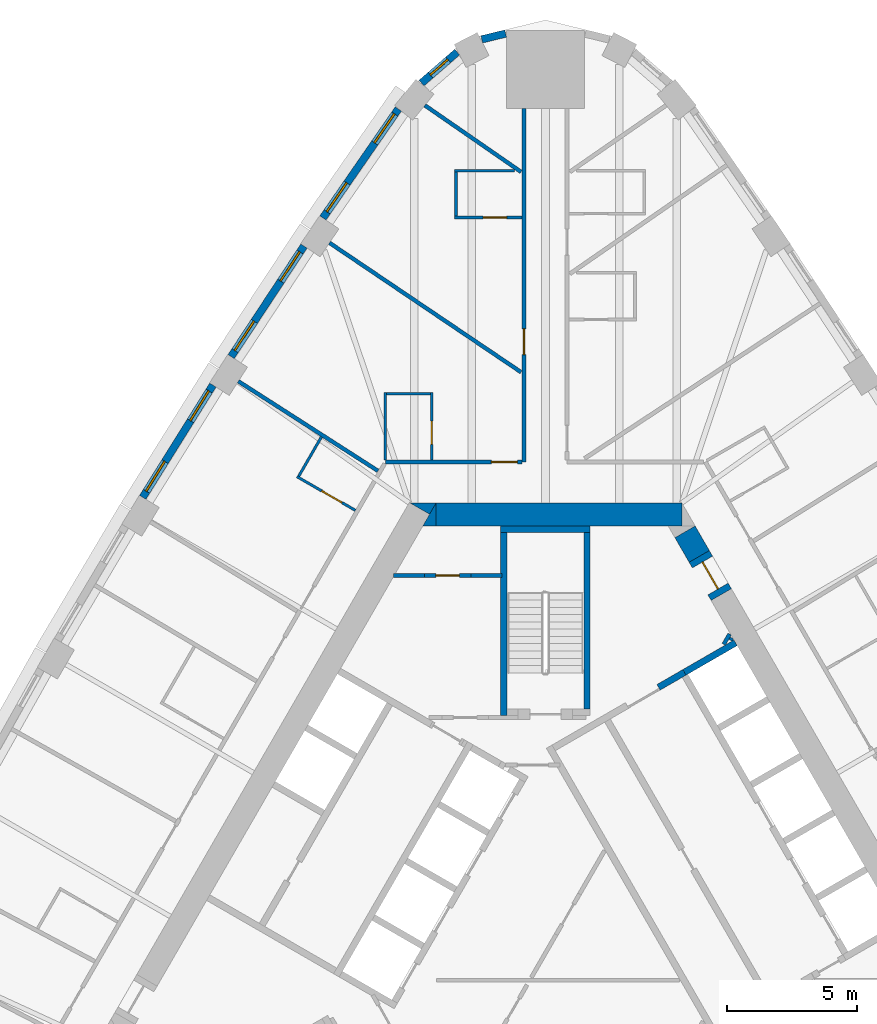
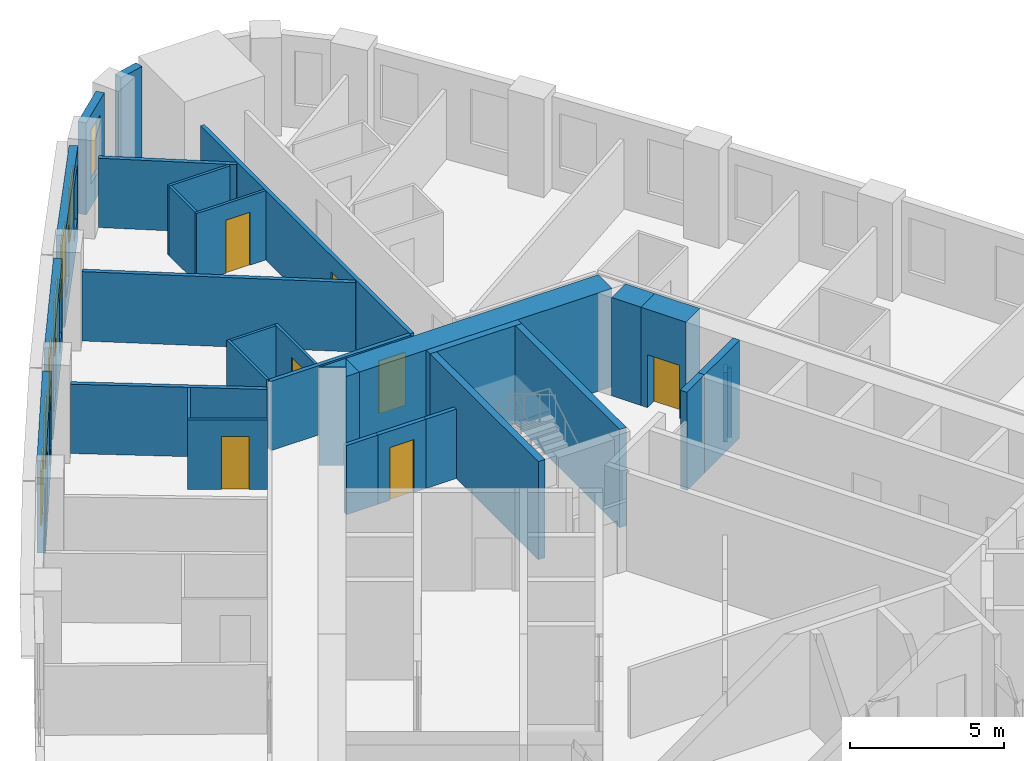
# One storey, part 10 of 13: 33 walls, 7 doors, 7 windows, 14 openings.
"""IFC4 building model written with IfcOpenShell, lengths in metres."""

from ifc_helpers import new_model, si_unit, direction, frame, frame_2d, origin, place, context, subcontext, project, spatial, polyline, rectangle, outline, extrude, material, layer, layer_set, type_object, element, fill, save


model = new_model("IFC4")

# Units and contexts
model_context = context("Model", 3, precision=1e-05, world=origin(), true_north=direction((0.0, 1.0)))
body_context = subcontext(model_context, "Body", "Model", "MODEL_VIEW")
ifc_project = project(units=[si_unit("LENGTHUNIT", "METRE"), si_unit("AREAUNIT", "SQUARE_METRE"), si_unit("VOLUMEUNIT", "CUBIC_METRE"), si_unit("PLANEANGLEUNIT", "RADIAN"), si_unit("MASSUNIT", "GRAM", prefix="KILO")], contexts=[model_context])

# Site, building, storey
site_placement = place(None, origin())
site = spatial("IfcSite", under=ifc_project, at=site_placement, CompositionType="ELEMENT")
building_placement = place(site_placement, origin())
building = spatial("IfcBuilding", under=site, at=building_placement, Name="Mestral Congress Tower", CompositionType="ELEMENT")
storey_placement = place(building_placement, frame((0.0, 0.0, 99.300048828125)))
storey = spatial("IfcBuildingStorey", under=building, at=storey_placement, Name="L23", CompositionType="ELEMENT", Elevation=99.300048828125)

# Walls
ifc_material_1 = material(Name="Fire-rated board partition")
ifc_layer_1 = layer(ifc_material_1, 0.14990234375)
ifc_layer_set_1 = layer_set([ifc_layer_1], Name="Fire-rated board partition")
wall_type_1 = type_object("IfcWallType", Name="Core partition 150", PredefinedType="PARTITIONING", material=ifc_layer_set_1)
wall_1_placement = place(storey_placement, frame((-5.85107421875, 14.10205078125, 0.0), z_axis=(0.0, 0.0, 1.0), x_axis=(1.0, 0.0, 0.0)))
element("IfcWall", 1, at=wall_1_placement, inside=storey, type_object=wall_type_1, Name="L23 core wall", PredefinedType="PARTITIONING", context=body_context, shape_type="SweptSolid", body=[
    extrude(rectangle(XDim=1.18017578125, YDim=0.14990234375, at=frame_2d((0.590087890625, 0.0))), origin(), (0.0, 0.0, 1.0), 2.75),
])
wall_2_placement = place(storey_placement, frame((-2.87060546875, 14.10205078125, 0.0), z_axis=(0.0, 0.0, 1.0), x_axis=(1.0, 0.0, 0.0)))
element("IfcWall", 2, at=wall_2_placement, inside=storey, type_object=wall_type_1, Name="L23 core wall", PredefinedType="PARTITIONING", context=body_context, shape_type="SweptSolid", body=[
    extrude(rectangle(XDim=1.195556640625, YDim=0.14990234375, at=frame_2d((0.59765625, 0.0))), origin(), (0.0, 0.0, 1.0), 2.75),
])
wall_3_placement = place(storey_placement, frame((6.87158203125, 11.44970703125, 0.0), z_axis=(0.0, 0.0, 1.0), x_axis=(0.499846793097, 0.866113839764, 0.0)))
element("IfcWall", 3, at=wall_3_placement, inside=storey, type_object=wall_type_1, Name="L23 core wall", PredefinedType="PARTITIONING", context=body_context, shape_type="SweptSolid", body=[
    extrude(rectangle(XDim=0.453369140625, YDim=0.14990234375, at=frame_2d((0.2265625, 0.0))), origin(), (0.0, 0.0, 1.0), 2.75),
])
wall_4_placement = place(storey_placement, frame((7.13134765625, 11.599609375, 0.0), z_axis=(0.0, 0.0, 1.0), x_axis=(0.498600033135, 0.866832167699, 0.0)))
element("IfcWall", 4, at=wall_4_placement, inside=storey, type_object=wall_type_1, Name="L23 core wall", PredefinedType="PARTITIONING", context=body_context, shape_type="SweptSolid", body=[
    extrude(rectangle(XDim=0.106689453125, YDim=0.14990234375, at=frame_2d((0.05322265625, 0.0))), origin(), (0.0, 0.0, 1.0), 2.75),
])

# Wall, opening, door
wall_5_placement = place(storey_placement, frame((-2.870849609375, 14.10205078125, 0.0), z_axis=(0.0, 0.0, 1.0), x_axis=(-1.0, 0.0, 0.0)))
wall_5 = element("IfcWall", 5, at=wall_5_placement, inside=storey, type_object=wall_type_1, Name="L23 door wall", PredefinedType="PARTITIONING", context=body_context, shape_type="SweptSolid", body=[
    extrude(rectangle(XDim=1.800048828125, YDim=0.14990234375, at=frame_2d((0.89990234375, 0.0))), origin(), (0.0, 0.0, 1.0), 2.75),
])
opening_1_placement = place(wall_5_placement, frame((0.449951171875, 0.0, 0.0)))
opening_1 = element("IfcOpeningElement", 6, at=opening_1_placement, cuts=wall_5, Name="Opening SD-WS2", PredefinedType="OPENING", context=body_context, shape_type="SweptSolid", body=[
    extrude(rectangle(XDim=0.89990234375, YDim=2.10009765625, at=frame_2d((0.449951171875, 1.050048828125))), frame((0.0, 0.0849609375, 0.0), z_axis=(0.0, -1.0, 0.0), x_axis=(1.0, 0.0, 0.0)), (0.0, 0.0, 1.0), 0.169921875),
])
ifc_material_2 = material(Name="Fire-rated steel door set", Category="steel")
door_type_1 = type_object("IfcDoorType", Name="Core door SR 900x2100", OperationType="SINGLE_SWING_LEFT", PredefinedType="DOOR", material=ifc_material_2)
door_1_placement = place(opening_1_placement, origin())
door_1 = element("IfcDoor", 7, at=door_1_placement, inside=storey, type_object=door_type_1, Name="Door SD-WS2", OperationType="SINGLE_SWING_LEFT", OverallHeight=2.10009765625, OverallWidth=0.89990234375, PredefinedType="DOOR", context=body_context, shape_type="SweptSolid", body=[
    extrude(rectangle(XDim=0.89990234375, YDim=2.10009765625, at=frame_2d((0.449951171875, 1.050048828125))), frame((0.0, 0.02490234375, 0.0), z_axis=(0.0, -1.0, 0.0), x_axis=(1.0, 0.0, 0.0)), (0.0, 0.0, 1.0), 0.050048828125),
])
fill(opening_1, door_1)

# Walls
ifc_material_3 = material(Name="Concrete C60/75", Category="concrete")
ifc_layer_2 = layer(ifc_material_3, 0.89990234375)
ifc_layer_set_2 = layer_set([ifc_layer_2], Name="Concrete C60/75")
wall_type_2 = type_object("IfcWallType", Name="Core wall RC 900", PredefinedType="SOLIDWALL", material=ifc_layer_set_2)
placement = place(storey_placement, origin())
element("IfcWall", 8, at=placement, inside=storey, type_object=wall_type_2, Name="L23 core wall", PredefinedType="SOLIDWALL", context=body_context, shape_type="SweptSolid", body=[
    extrude(outline(polyline([(-4.214599609375, 16.89990234375), (-4.46875, 16.460205078125), (-5.230712890625, 16.89990234375), (-4.214599609375, 16.89990234375)])), origin(), (0.0, 0.0, 1.0), 3.89990234375),
])
wall_7_placement = place(storey_placement, frame((-4.224365234375, 16.449951171875, 0.0), z_axis=(0.0, 0.0, 1.0), x_axis=(1.0, 0.0, 0.0)))
element("IfcWall", 9, at=wall_7_placement, inside=storey, type_object=wall_type_2, Name="L23 core wall", PredefinedType="SOLIDWALL", context=body_context, shape_type="SweptSolid", body=[
    extrude(rectangle(XDim=9.48779296875, YDim=0.89990234375, at=frame_2d((4.743896484375, 0.0))), origin(), (0.0, 0.0, 1.0), 3.89990234375),
])
element("IfcWall", 10, at=placement, inside=storey, type_object=wall_type_2, Name="L23 core wall", PredefinedType="SOLIDWALL", context=body_context, shape_type="SweptSolid", body=[
    extrude(outline(polyline([(-4.734375, 16.0), (-4.226318359375, 16.8798828125), (-4.226318359375, 16.0), (-4.734375, 16.0)])), origin(), (0.0, 0.0, 1.0), 3.89990234375),
])
wall_9_placement = place(storey_placement, frame((5.92578125, 14.836181640625, 0.0), z_axis=(0.0, 0.0, 1.0), x_axis=(-0.500076735116, 0.865981096212, 0.0)))
element("IfcWall", 11, at=wall_9_placement, inside=storey, type_object=wall_type_2, Name="L23 core wall", PredefinedType="SOLIDWALL", context=body_context, shape_type="SweptSolid", body=[
    extrude(rectangle(XDim=1.093505859375, YDim=0.89990234375, at=frame_2d((0.546875, 0.0))), origin(), (0.0, 0.0, 1.0), 3.89990234375),
])

# Wall, opening, door
wall_10_placement = place(storey_placement, frame((5.92578125, 14.836181640625, 0.0), z_axis=(0.0, 0.0, 1.0), x_axis=(0.500062241894, -0.865989465428, 0.0)))
wall_10 = element("IfcWall", 12, at=wall_10_placement, inside=storey, type_object=wall_type_2, Name="L23 door wall", PredefinedType="SOLIDWALL", context=body_context, shape_type="SweptSolid", body=[
    extrude(rectangle(XDim=1.699951171875, YDim=0.89990234375, at=frame_2d((0.85009765625, 0.0))), origin(), (0.0, 0.0, 1.0), 3.89990234375),
])
opening_2_placement = place(wall_10_placement, frame((0.25, 0.0, 0.0)))
opening_2 = element("IfcOpeningElement", 13, at=opening_2_placement, cuts=wall_10, Name="Opening XD2", PredefinedType="OPENING", context=body_context, shape_type="SweptSolid", body=[
    extrude(rectangle(XDim=1.199951171875, YDim=2.10009765625, at=frame_2d((0.60009765625, 1.050048828125))), frame((0.0, 0.4599609375, 0.0), z_axis=(0.0, -1.0, 0.0), x_axis=(1.0, 0.0, 0.0)), (0.0, 0.0, 1.0), 0.919921875),
])
door_type_2 = type_object("IfcDoorType", Name="Core door XD 1200x2100", OperationType="SINGLE_SWING_LEFT", PredefinedType="DOOR", material=ifc_material_2)
door_2_placement = place(opening_2_placement, origin())
door_2 = element("IfcDoor", 14, at=door_2_placement, inside=storey, type_object=door_type_2, Name="Door XD2", OperationType="SINGLE_SWING_LEFT", OverallHeight=2.10009765625, OverallWidth=1.199951171875, PredefinedType="DOOR", context=body_context, shape_type="SweptSolid", body=[
    extrude(rectangle(XDim=1.199951171875, YDim=2.10009765625, at=frame_2d((0.60009765625, 1.050048828125))), frame((0.0, 0.02490234375, 0.0), z_axis=(0.0, -1.0, 0.0), x_axis=(1.0, 0.0, 0.0)), (0.0, 0.0, 1.0), 0.050048828125),
])
fill(opening_2, door_2)

# Wall
ifc_material_4 = material(Name="Precast concrete C40/50 with limestone facing", Category="masonry")
ifc_layer_3 = layer(ifc_material_4, 0.2900390625)
ifc_layer_set_3 = layer_set([ifc_layer_3], Name="Precast concrete C40/50 with limestone facing")
wall_type_3 = type_object("IfcWallType", Name="Facade stone wall 290", PredefinedType="SOLIDWALL", material=ifc_layer_set_3)
wall_11_placement = place(storey_placement, frame((-1.53515625, 34.9892578125, 0.0), z_axis=(0.0, 0.0, 1.0), x_axis=(-0.971713991574, -0.236160789674, 0.0)))
element("IfcWall", 15, at=wall_11_placement, inside=storey, type_object=wall_type_3, Name="Facade wall K1-2", PredefinedType="SOLIDWALL", context=body_context, shape_type="SweptSolid", body=[
    extrude(rectangle(XDim=0.947021484375, YDim=0.2900390625, at=frame_2d((0.4736328125, 0.0))), origin(), (0.0, 0.0, 1.0), 3.64990234375),
])

# Wall, opening, window
wall_12_placement = place(storey_placement, frame((-3.404541015625, 34.275390625, 0.0), z_axis=(0.0, 0.0, 1.0), x_axis=(-0.754882764627, -0.655859749999, 0.0)))
wall_12 = element("IfcWall", 16, at=wall_12_placement, inside=storey, type_object=wall_type_3, Name="Facade wall K1-3", PredefinedType="SOLIDWALL", context=body_context, shape_type="SweptSolid", body=[
    extrude(rectangle(XDim=1.819580078125, YDim=0.2900390625, at=frame_2d((0.90966796875, 0.0))), origin(), (0.0, 0.0, 1.0), 3.64990234375),
])
opening_3_placement = place(wall_12_placement, frame((0.459716796875, 0.0, 0.89990234375)))
opening_3 = element("IfcOpeningElement", 17, at=opening_3_placement, cuts=wall_12, Name="Opening W3", PredefinedType="OPENING", context=body_context, shape_type="SweptSolid", body=[
    extrude(rectangle(XDim=0.89990234375, YDim=2.14990234375, at=frame_2d((0.449951171875, 1.074951171875))), frame((0.0, 0.155029296875, 0.0), z_axis=(0.0, -1.0, 0.0), x_axis=(1.0, 0.0, 0.0)), (0.0, 0.0, 1.0), 0.31005859375),
])
ifc_material_5 = material(Name="Clear low-emissivity double glazing", Category="glass")
window_type_1 = type_object("IfcWindowType", Name="Facade punched window 900 x 2150 sill 900", PartitioningType="SINGLE_PANEL", PredefinedType="WINDOW", material=ifc_material_5)
window_1_placement = place(opening_3_placement, origin())
window_1 = element("IfcWindow", 18, at=window_1_placement, inside=storey, type_object=window_type_1, Name="Window K1-3", OverallHeight=2.14990234375, OverallWidth=0.89990234375, PartitioningType="SINGLE_PANEL", PredefinedType="WINDOW", context=body_context, shape_type="SweptSolid", body=[
    extrude(rectangle(XDim=0.89990234375, YDim=2.14990234375, at=frame_2d((0.449951171875, 1.074951171875))), frame((0.0, 0.01513671875, 0.0), z_axis=(0.0, -1.0, 0.0), x_axis=(1.0, 0.0, 0.0)), (0.0, 0.0, 1.0), 0.06005859375),
])
fill(opening_3, window_1)

# Wall, openings, windows
wall_13_placement = place(storey_placement, frame((-5.67333984375, 32.0810546875, 0.0), z_axis=(0.0, 0.0, 1.0), x_axis=(-0.569113019126, -0.822259309136, 0.0)))
wall_13 = element("IfcWall", 19, at=wall_13_placement, inside=storey, type_object=wall_type_3, Name="Facade wall F2-00", PredefinedType="SOLIDWALL", context=body_context, shape_type="SweptSolid", body=[
    extrude(rectangle(XDim=5.106689453125, YDim=0.2900390625, at=frame_2d((2.55322265625, 0.0))), origin(), (0.0, 0.0, 1.0), 3.64990234375),
])
opening_4_placement = place(wall_13_placement, frame((0.240478515625, 0.0, 0.89990234375)))
opening_4 = element("IfcOpeningElement", 20, at=opening_4_placement, cuts=wall_13, Name="Opening W2", PredefinedType="OPENING", context=body_context, shape_type="SweptSolid", body=[
    extrude(rectangle(XDim=1.35009765625, YDim=2.14990234375, at=frame_2d((0.675048828125, 1.074951171875))), frame((0.0, 0.155029296875, 0.0), z_axis=(0.0, -1.0, 0.0), x_axis=(1.0, 0.0, 0.0)), (0.0, 0.0, 1.0), 0.31005859375),
])
opening_5_placement = place(wall_13_placement, frame((3.47119140625, 0.0, 0.89990234375)))
opening_5 = element("IfcOpeningElement", 21, at=opening_5_placement, cuts=wall_13, Name="Opening W2", PredefinedType="OPENING", context=body_context, shape_type="SweptSolid", body=[
    extrude(rectangle(XDim=1.35009765625, YDim=2.14990234375, at=frame_2d((0.675048828125, 1.074951171875))), frame((0.0, 0.155029296875, 0.0), z_axis=(0.0, -1.0, 0.0), x_axis=(1.0, 0.0, 0.0)), (0.0, 0.0, 1.0), 0.31005859375),
])
window_type_2 = type_object("IfcWindowType", Name="Facade punched window 1350 x 2150 sill 900", PartitioningType="DOUBLE_PANEL_VERTICAL", PredefinedType="WINDOW", material=ifc_material_5)
window_2_placement = place(opening_4_placement, origin())
window_2 = element("IfcWindow", 22, at=window_2_placement, inside=storey, type_object=window_type_2, Name="Window F2-00a", OverallHeight=2.14990234375, OverallWidth=1.35009765625, PartitioningType="DOUBLE_PANEL_VERTICAL", PredefinedType="WINDOW", context=body_context, shape_type="SweptSolid", body=[
    extrude(rectangle(XDim=1.35009765625, YDim=2.14990234375, at=frame_2d((0.675048828125, 1.074951171875))), frame((0.0, 0.01513671875, 0.0), z_axis=(0.0, -1.0, 0.0), x_axis=(1.0, 0.0, 0.0)), (0.0, 0.0, 1.0), 0.06005859375),
])
fill(opening_4, window_2)
window_3_placement = place(opening_5_placement, origin())
window_3 = element("IfcWindow", 23, at=window_3_placement, inside=storey, type_object=window_type_2, Name="Window F2-00b", OverallHeight=2.14990234375, OverallWidth=1.35009765625, PartitioningType="DOUBLE_PANEL_VERTICAL", PredefinedType="WINDOW", context=body_context, shape_type="SweptSolid", body=[
    extrude(rectangle(XDim=1.35009765625, YDim=2.14990234375, at=frame_2d((0.675048828125, 1.074951171875))), frame((0.0, 0.01513671875, 0.0), z_axis=(0.0, -1.0, 0.0), x_axis=(1.0, 0.0, 0.0)), (0.0, 0.0, 1.0), 0.06005859375),
])
fill(opening_5, window_3)

wall_14_placement = place(storey_placement, frame((-9.310791015625, 26.799072265625, 0.0), z_axis=(0.0, 0.0, 1.0), x_axis=(-0.549741341923, -0.835334937005, 0.0)))
wall_14 = element("IfcWall", 24, at=wall_14_placement, inside=storey, type_object=wall_type_3, Name="Facade wall F2-01", PredefinedType="SOLIDWALL", context=body_context, shape_type="SweptSolid", body=[
    extrude(rectangle(XDim=5.10009765625, YDim=0.2900390625, at=frame_2d((2.550048828125, 0.0))), origin(), (0.0, 0.0, 1.0), 3.64990234375),
])
opening_6_placement = place(wall_14_placement, frame((0.272705078125, 0.0, 0.89990234375)))
opening_6 = element("IfcOpeningElement", 25, at=opening_6_placement, cuts=wall_14, Name="Opening W2", PredefinedType="OPENING", context=body_context, shape_type="SweptSolid", body=[
    extrude(rectangle(XDim=1.35009765625, YDim=2.14990234375, at=frame_2d((0.675048828125, 1.074951171875))), frame((0.0, 0.155029296875, 0.0), z_axis=(0.0, -1.0, 0.0), x_axis=(1.0, 0.0, 0.0)), (0.0, 0.0, 1.0), 0.31005859375),
])
opening_7_placement = place(wall_14_placement, frame((3.477783203125, 0.0, 0.89990234375)))
opening_7 = element("IfcOpeningElement", 26, at=opening_7_placement, cuts=wall_14, Name="Opening W2", PredefinedType="OPENING", context=body_context, shape_type="SweptSolid", body=[
    extrude(rectangle(XDim=1.35009765625, YDim=2.14990234375, at=frame_2d((0.675048828125, 1.074951171875))), frame((0.0, 0.155029296875, 0.0), z_axis=(0.0, -1.0, 0.0), x_axis=(1.0, 0.0, 0.0)), (0.0, 0.0, 1.0), 0.31005859375),
])
window_4_placement = place(opening_6_placement, origin())
window_4 = element("IfcWindow", 27, at=window_4_placement, inside=storey, type_object=window_type_2, Name="Window F2-01a", OverallHeight=2.14990234375, OverallWidth=1.35009765625, PartitioningType="DOUBLE_PANEL_VERTICAL", PredefinedType="WINDOW", context=body_context, shape_type="SweptSolid", body=[
    extrude(rectangle(XDim=1.35009765625, YDim=2.14990234375, at=frame_2d((0.675048828125, 1.074951171875))), frame((0.0, 0.01513671875, 0.0), z_axis=(0.0, -1.0, 0.0), x_axis=(1.0, 0.0, 0.0)), (0.0, 0.0, 1.0), 0.06005859375),
])
fill(opening_6, window_4)
window_5_placement = place(opening_7_placement, origin())
window_5 = element("IfcWindow", 28, at=window_5_placement, inside=storey, type_object=window_type_2, Name="Window F2-01b", OverallHeight=2.14990234375, OverallWidth=1.35009765625, PartitioningType="DOUBLE_PANEL_VERTICAL", PredefinedType="WINDOW", context=body_context, shape_type="SweptSolid", body=[
    extrude(rectangle(XDim=1.35009765625, YDim=2.14990234375, at=frame_2d((0.675048828125, 1.074951171875))), frame((0.0, 0.01513671875, 0.0), z_axis=(0.0, -1.0, 0.0), x_axis=(1.0, 0.0, 0.0)), (0.0, 0.0, 1.0), 0.06005859375),
])
fill(opening_7, window_5)

wall_15_placement = place(storey_placement, frame((-12.820068359375, 21.43896484375, 0.0), z_axis=(0.0, 0.0, 1.0), x_axis=(-0.530072082134, -0.847952585787, 0.0)))
wall_15 = element("IfcWall", 29, at=wall_15_placement, inside=storey, type_object=wall_type_3, Name="Facade wall F2-02", PredefinedType="SOLIDWALL", context=body_context, shape_type="SweptSolid", body=[
    extrude(rectangle(XDim=5.100341796875, YDim=0.2900390625, at=frame_2d((2.55029296875, 0.0))), origin(), (0.0, 0.0, 1.0), 3.64990234375),
])
opening_8_placement = place(wall_15_placement, frame((0.272705078125, 0.0, 0.89990234375)))
opening_8 = element("IfcOpeningElement", 30, at=opening_8_placement, cuts=wall_15, Name="Opening W2", PredefinedType="OPENING", context=body_context, shape_type="SweptSolid", body=[
    extrude(rectangle(XDim=1.35009765625, YDim=2.14990234375, at=frame_2d((0.675048828125, 1.074951171875))), frame((0.0, 0.155029296875, 0.0), z_axis=(0.0, -1.0, 0.0), x_axis=(1.0, 0.0, 0.0)), (0.0, 0.0, 1.0), 0.31005859375),
])
opening_9_placement = place(wall_15_placement, frame((3.477783203125, 0.0, 0.89990234375)))
opening_9 = element("IfcOpeningElement", 31, at=opening_9_placement, cuts=wall_15, Name="Opening W2", PredefinedType="OPENING", context=body_context, shape_type="SweptSolid", body=[
    extrude(rectangle(XDim=1.35009765625, YDim=2.14990234375, at=frame_2d((0.675048828125, 1.074951171875))), frame((0.0, 0.155029296875, 0.0), z_axis=(0.0, -1.0, 0.0), x_axis=(1.0, 0.0, 0.0)), (0.0, 0.0, 1.0), 0.31005859375),
])
window_6_placement = place(opening_8_placement, origin())
window_6 = element("IfcWindow", 32, at=window_6_placement, inside=storey, type_object=window_type_2, Name="Window F2-02a", OverallHeight=2.14990234375, OverallWidth=1.35009765625, PartitioningType="DOUBLE_PANEL_VERTICAL", PredefinedType="WINDOW", context=body_context, shape_type="SweptSolid", body=[
    extrude(rectangle(XDim=1.35009765625, YDim=2.14990234375, at=frame_2d((0.675048828125, 1.074951171875))), frame((0.0, 0.01513671875, 0.0), z_axis=(0.0, -1.0, 0.0), x_axis=(1.0, 0.0, 0.0)), (0.0, 0.0, 1.0), 0.06005859375),
])
fill(opening_8, window_6)
window_7_placement = place(opening_9_placement, origin())
window_7 = element("IfcWindow", 33, at=window_7_placement, inside=storey, type_object=window_type_2, Name="Window F2-02b", OverallHeight=2.14990234375, OverallWidth=1.35009765625, PartitioningType="DOUBLE_PANEL_VERTICAL", PredefinedType="WINDOW", context=body_context, shape_type="SweptSolid", body=[
    extrude(rectangle(XDim=1.35009765625, YDim=2.14990234375, at=frame_2d((0.675048828125, 1.074951171875))), frame((0.0, 0.01513671875, 0.0), z_axis=(0.0, -1.0, 0.0), x_axis=(1.0, 0.0, 0.0)), (0.0, 0.0, 1.0), 0.06005859375),
])
fill(opening_9, window_7)

# Wall, opening, door
ifc_material_6 = material(Name="Gypsum board partition on metal studs with mineral wool", Category="composite")
ifc_layer_4 = layer(ifc_material_6, 0.10009765625)
ifc_layer_set_4 = layer_set([ifc_layer_4], Name="Gypsum board partition on metal studs with mineral wool")
wall_type_4 = type_object("IfcWallType", Name="Hotel partition wall 100", PredefinedType="PARTITIONING", material=ifc_layer_set_4)
wall_16_placement = place(storey_placement, frame((-3.5, 27.89794921875, 0.0), z_axis=(0.0, 0.0, 1.0), x_axis=(1.0, 0.0, 0.0)))
wall_16 = element("IfcWall", 34, at=wall_16_placement, inside=storey, type_object=wall_type_4, Name="L23-h-pod18a", PredefinedType="PARTITIONING", context=body_context, shape_type="SweptSolid", body=[
    extrude(rectangle(XDim=2.60009765625, YDim=0.10009765625, at=frame_2d((1.300048828125, 0.0))), origin(), (0.0, 0.0, 1.0), 2.75),
])
opening_10_placement = place(wall_16_placement, frame((1.10009765625, 0.0, 0.0)))
opening_10 = element("IfcOpeningElement", 35, at=opening_10_placement, cuts=wall_16, Name="Opening H07-035", PredefinedType="OPENING", context=body_context, shape_type="SweptSolid", body=[
    extrude(rectangle(XDim=0.89990234375, YDim=2.10009765625, at=frame_2d((0.449951171875, 1.050048828125))), frame((0.0, 0.06005859375, 0.0), z_axis=(0.0, -1.0, 0.0), x_axis=(1.0, 0.0, 0.0)), (0.0, 0.0, 1.0), 0.1201171875),
])
ifc_material_7 = material(Name="Timber veneer door leaf in timber frame", Category="wood")
door_type_3 = type_object("IfcDoorType", Name="Bathroom door 900", OperationType="SINGLE_SWING_LEFT", PredefinedType="DOOR", material=ifc_material_7)
door_3_placement = place(opening_10_placement, origin())
door_3 = element("IfcDoor", 36, at=door_3_placement, inside=storey, type_object=door_type_3, Name="L23-h-d035", OperationType="SINGLE_SWING_RIGHT", OverallHeight=2.10009765625, OverallWidth=0.89990234375, PredefinedType="DOOR", context=body_context, shape_type="SweptSolid", body=[
    extrude(rectangle(XDim=0.89990234375, YDim=2.10009765625, at=frame_2d((0.449951171875, 1.050048828125))), frame((0.0, 0.02490234375, 0.0), z_axis=(0.0, -1.0, 0.0), x_axis=(1.0, 0.0, 0.0)), (0.0, 0.0, 1.0), 0.050048828125),
])
fill(opening_10, door_3)

# Walls
wall_17_placement = place(storey_placement, frame((-3.449951171875, 27.947998046875, 0.0), z_axis=(0.0, 0.0, 1.0), x_axis=(0.0, 1.0, 0.0)))
element("IfcWall", 37, at=wall_17_placement, inside=storey, type_object=wall_type_4, Name="L23-h-pod18b", PredefinedType="PARTITIONING", context=body_context, shape_type="SweptSolid", body=[
    extrude(rectangle(XDim=1.699951171875, YDim=0.10009765625, at=frame_2d((0.85009765625, 0.0))), origin(), (0.0, 0.0, 1.0), 2.75),
])
wall_18_placement = place(storey_placement, frame((-1.199951171875, 29.697998046875, 0.0), z_axis=(0.0, 0.0, 1.0), x_axis=(-1.0, 0.0, 0.0)))
element("IfcWall", 38, at=wall_18_placement, inside=storey, type_object=wall_type_4, Name="L23-h-pod18c", PredefinedType="PARTITIONING", context=body_context, shape_type="SweptSolid", body=[
    extrude(rectangle(XDim=2.300048828125, YDim=0.10009765625, at=frame_2d((1.14990234375, 0.0))), origin(), (0.0, 0.0, 1.0), 2.75),
])

# Wall, opening, door
wall_19_placement = place(storey_placement, frame((-4.38330078125, 18.550048828125, 0.0), z_axis=(0.0, 0.0, 1.0), x_axis=(0.0, 1.0, 0.0)))
wall_19 = element("IfcWall", 39, at=wall_19_placement, inside=storey, type_object=wall_type_4, Name="L23-h-pod19a", PredefinedType="PARTITIONING", context=body_context, shape_type="SweptSolid", body=[
    extrude(rectangle(XDim=2.599853515625, YDim=0.10009765625, at=frame_2d((1.2998046875, 0.0))), origin(), (0.0, 0.0, 1.0), 2.75),
])
opening_11_placement = place(wall_19_placement, frame((0.60009765625, 0.0, 0.0)))
opening_11 = element("IfcOpeningElement", 40, at=opening_11_placement, cuts=wall_19, Name="Opening H07-037", PredefinedType="OPENING", context=body_context, shape_type="SweptSolid", body=[
    extrude(rectangle(XDim=0.89990234375, YDim=2.10009765625, at=frame_2d((0.449951171875, 1.050048828125))), frame((0.0, 0.06005859375, 0.0), z_axis=(0.0, -1.0, 0.0), x_axis=(1.0, 0.0, 0.0)), (0.0, 0.0, 1.0), 0.1201171875),
])
door_4_placement = place(opening_11_placement, origin())
door_4 = element("IfcDoor", 41, at=door_4_placement, inside=storey, type_object=door_type_3, Name="L23-h-d037", OperationType="SINGLE_SWING_LEFT", OverallHeight=2.10009765625, OverallWidth=0.89990234375, PredefinedType="DOOR", context=body_context, shape_type="SweptSolid", body=[
    extrude(rectangle(XDim=0.89990234375, YDim=2.10009765625, at=frame_2d((0.449951171875, 1.050048828125))), frame((0.0, 0.02490234375, 0.0), z_axis=(0.0, -1.0, 0.0), x_axis=(1.0, 0.0, 0.0)), (0.0, 0.0, 1.0), 0.050048828125),
])
fill(opening_11, door_4)

# Walls
wall_20_placement = place(storey_placement, frame((-4.43310546875, 21.10009765625, 0.0), z_axis=(0.0, 0.0, 1.0), x_axis=(-1.0, 0.0, 0.0)))
element("IfcWall", 42, at=wall_20_placement, inside=storey, type_object=wall_type_4, Name="L23-h-pod19b", PredefinedType="PARTITIONING", context=body_context, shape_type="SweptSolid", body=[
    extrude(rectangle(XDim=1.7001953125, YDim=0.10009765625, at=frame_2d((0.85009765625, 0.0))), origin(), (0.0, 0.0, 1.0), 2.75),
])
wall_21_placement = place(storey_placement, frame((-6.18310546875, 18.550048828125, 0.0), z_axis=(0.0, 0.0, 1.0), x_axis=(0.0, 1.0, 0.0)))
element("IfcWall", 43, at=wall_21_placement, inside=storey, type_object=wall_type_4, Name="L23-h-pod19c", PredefinedType="PARTITIONING", context=body_context, shape_type="SweptSolid", body=[
    extrude(rectangle(XDim=2.599853515625, YDim=0.10009765625, at=frame_2d((1.2998046875, 0.0))), origin(), (0.0, 0.0, 1.0), 2.75),
])

# Wall, opening, door
wall_22_placement = place(storey_placement, frame((-9.57763671875, 17.910888671875, 0.0), z_axis=(0.0, 0.0, 1.0), x_axis=(0.866021400173, -0.500006934395, 0.0)))
wall_22 = element("IfcWall", 44, at=wall_22_placement, inside=storey, type_object=wall_type_4, Name="L23-h-pod20a", PredefinedType="PARTITIONING", context=body_context, shape_type="SweptSolid", body=[
    extrude(rectangle(XDim=2.60009765625, YDim=0.10009765625, at=frame_2d((1.300048828125, 0.0))), origin(), (0.0, 0.0, 1.0), 2.75),
])
opening_12_placement = place(wall_22_placement, frame((1.10009765625, 0.0, 0.0)))
opening_12 = element("IfcOpeningElement", 45, at=opening_12_placement, cuts=wall_22, Name="Opening H07-039", PredefinedType="OPENING", context=body_context, shape_type="SweptSolid", body=[
    extrude(rectangle(XDim=0.89990234375, YDim=2.10009765625, at=frame_2d((0.449951171875, 1.050048828125))), frame((0.0, 0.06005859375, 0.0), z_axis=(0.0, -1.0, 0.0), x_axis=(1.0, 0.0, 0.0)), (0.0, 0.0, 1.0), 0.1201171875),
])
door_5_placement = place(opening_12_placement, origin())
door_5 = element("IfcDoor", 46, at=door_5_placement, inside=storey, type_object=door_type_3, Name="L23-h-d039", OperationType="SINGLE_SWING_LEFT", OverallHeight=2.10009765625, OverallWidth=0.89990234375, PredefinedType="DOOR", context=body_context, shape_type="SweptSolid", body=[
    extrude(rectangle(XDim=0.89990234375, YDim=2.10009765625, at=frame_2d((0.449951171875, 1.050048828125))), frame((0.0, 0.02490234375, 0.0), z_axis=(0.0, -1.0, 0.0), x_axis=(1.0, 0.0, 0.0)), (0.0, 0.0, 1.0), 0.050048828125),
])
fill(opening_12, door_5)

# Wall
wall_23_placement = place(storey_placement, frame((-9.509521484375, 17.92919921875, 0.0), z_axis=(0.0, 0.0, 1.0), x_axis=(0.500062521093, 0.865989304205, 0.0)))
element("IfcWall", 47, at=wall_23_placement, inside=storey, type_object=wall_type_4, Name="L23-h-pod20b", PredefinedType="PARTITIONING", context=body_context, shape_type="SweptSolid", body=[
    extrude(rectangle(XDim=1.739990234375, YDim=0.10009765625, at=frame_2d((0.8701171875, 0.0))), origin(), (0.0, 0.0, 1.0), 2.75),
])

# Wall, opening, door
ifc_layer_5 = layer(ifc_material_6, 0.14990234375)
ifc_layer_set_5 = layer_set([ifc_layer_5], Name="Gypsum board partition on metal studs with mineral wool")
wall_type_5 = type_object("IfcWallType", Name="Hotel partition wall 150", PredefinedType="PARTITIONING", material=ifc_layer_set_5)
wall_24_placement = place(storey_placement, frame((-0.824951171875, 18.47509765625, 0.0), z_axis=(0.0, 0.0, 1.0), x_axis=(0.0, 1.0, 0.0)))
wall_24 = element("IfcWall", 48, at=wall_24_placement, inside=storey, type_object=wall_type_5, Name="L23-h-cw06", PredefinedType="PARTITIONING", context=body_context, shape_type="SweptSolid", body=[
    extrude(rectangle(XDim=13.623291015625, YDim=0.14990234375, at=frame_2d((6.8115234375, 0.0))), origin(), (0.0, 0.0, 1.0), 2.75),
])
opening_13_placement = place(wall_24_placement, frame((4.13525390625, 0.0, 0.0)))
opening_13 = element("IfcOpeningElement", 49, at=opening_13_placement, cuts=wall_24, Name="Opening H07-034", PredefinedType="OPENING", context=body_context, shape_type="SweptSolid", body=[
    extrude(rectangle(XDim=1.0, YDim=2.10009765625, at=frame_2d((0.5, 1.050048828125))), frame((0.0, 0.0849609375, 0.0), z_axis=(0.0, -1.0, 0.0), x_axis=(1.0, 0.0, 0.0)), (0.0, 0.0, 1.0), 0.169921875),
])
ifc_material_8 = material(Name="Timber veneer door leaf in metal frame", Category="wood")
door_type_4 = type_object("IfcDoorType", Name="Guest room entrance door 1000", OperationType="SINGLE_SWING_LEFT", PredefinedType="DOOR", material=ifc_material_8)
door_6_placement = place(opening_13_placement, origin())
door_6 = element("IfcDoor", 50, at=door_6_placement, inside=storey, type_object=door_type_4, Name="L23-h-d034", OperationType="SINGLE_SWING_LEFT", OverallHeight=2.10009765625, OverallWidth=1.0, PredefinedType="DOOR", context=body_context, shape_type="SweptSolid", body=[
    extrude(rectangle(XDim=1.0, YDim=2.10009765625, at=frame_2d((0.5, 1.050048828125))), frame((0.0, 0.02490234375, 0.0), z_axis=(0.0, -1.0, 0.0), x_axis=(1.0, 0.0, 0.0)), (0.0, 0.0, 1.0), 0.050048828125),
])
fill(opening_13, door_6)

wall_25_placement = place(storey_placement, frame((-6.1630859375, 18.47509765625, 0.0), z_axis=(0.0, 0.0, 1.0), x_axis=(1.0, 0.0, 0.0)))
wall_25 = element("IfcWall", 51, at=wall_25_placement, inside=storey, type_object=wall_type_5, Name="L23-h-cw07", PredefinedType="PARTITIONING", context=body_context, shape_type="SweptSolid", body=[
    extrude(rectangle(XDim=5.258056640625, YDim=0.14990234375, at=frame_2d((2.62890625, 0.0))), origin(), (0.0, 0.0, 1.0), 2.75),
])
opening_14_placement = place(wall_25_placement, frame((4.078125, 0.0, 0.0)))
opening_14 = element("IfcOpeningElement", 52, at=opening_14_placement, cuts=wall_25, Name="Opening H07-036", PredefinedType="OPENING", context=body_context, shape_type="SweptSolid", body=[
    extrude(rectangle(XDim=1.0, YDim=2.10009765625, at=frame_2d((0.5, 1.050048828125))), frame((0.0, 0.0849609375, 0.0), z_axis=(0.0, -1.0, 0.0), x_axis=(1.0, 0.0, 0.0)), (0.0, 0.0, 1.0), 0.169921875),
])
door_7_placement = place(opening_14_placement, origin())
door_7 = element("IfcDoor", 53, at=door_7_placement, inside=storey, type_object=door_type_4, Name="L23-h-d036", OperationType="SINGLE_SWING_RIGHT", OverallHeight=2.10009765625, OverallWidth=1.0, PredefinedType="DOOR", context=body_context, shape_type="SweptSolid", body=[
    extrude(rectangle(XDim=1.0, YDim=2.10009765625, at=frame_2d((0.5, 1.050048828125))), frame((0.0, 0.02490234375, 0.0), z_axis=(0.0, -1.0, 0.0), x_axis=(1.0, 0.0, 0.0)), (0.0, 0.0, 1.0), 0.050048828125),
])
fill(opening_14, door_7)

# Walls
wall_26_placement = place(storey_placement, frame((-11.838134765625, 21.585205078125, 0.0), z_axis=(0.0, 0.0, 1.0), x_axis=(0.841699322813, -0.539946525108, 0.0)))
element("IfcWall", 54, at=wall_26_placement, inside=storey, type_object=wall_type_5, Name="L23-h-pw11", PredefinedType="PARTITIONING", context=body_context, shape_type="SweptSolid", body=[
    extrude(rectangle(XDim=6.3916015625, YDim=0.14990234375, at=frame_2d((3.19580078125, 0.0))), origin(), (0.0, 0.0, 1.0), 2.75),
])
wall_27_placement = place(storey_placement, frame((-8.32568359375, 26.922607421875, 0.0), z_axis=(0.0, 0.0, 1.0), x_axis=(0.828836601893, -0.5594907393, 0.0)))
element("IfcWall", 55, at=wall_27_placement, inside=storey, type_object=wall_type_5, Name="L23-h-pw13", PredefinedType="PARTITIONING", context=body_context, shape_type="SweptSolid", body=[
    extrude(rectangle(XDim=8.9091796875, YDim=0.14990234375, at=frame_2d((4.45458984375, 0.0))), origin(), (0.0, 0.0, 1.0), 2.75),
])
wall_28_placement = place(storey_placement, frame((-4.649169921875, 32.223388671875, 0.0), z_axis=(0.0, 0.0, 1.0), x_axis=(0.822262349475, -0.569108626394, 0.0)))
element("IfcWall", 56, at=wall_28_placement, inside=storey, type_object=wall_type_5, Name="L23-h-pw14", PredefinedType="PARTITIONING", context=body_context, shape_type="SweptSolid", body=[
    extrude(rectangle(XDim=4.509521484375, YDim=0.14990234375, at=frame_2d((2.2548828125, 0.0))), origin(), (0.0, 0.0, 1.0), 2.75),
])
ifc_layer_6 = layer(ifc_material_3, 0.25)
ifc_layer_set_6 = layer_set([ifc_layer_6], Name="Concrete C60/75")
wall_type_6 = type_object("IfcWallType", Name="Shaft wall RC 250", PredefinedType="SOLIDWALL", material=ifc_layer_set_6)
wall_29_placement = place(storey_placement, frame((4.3583984375, 9.791015625, 0.0), z_axis=(0.0, 0.0, 1.0), x_axis=(0.866079547155, 0.499906209203, 0.0)))
element("IfcWall", 57, at=wall_29_placement, inside=storey, type_object=wall_type_6, Name="L23 core wall", PredefinedType="SOLIDWALL", context=body_context, shape_type="SweptSolid", body=[
    extrude(rectangle(XDim=1.150146484375, YDim=0.25, at=frame_2d((0.5751953125, 0.0))), origin(), (0.0, 0.0, 1.0), 3.89990234375),
])
wall_30_placement = place(storey_placement, frame((5.356201171875, 10.366943359375, 0.0), z_axis=(0.0, 0.0, 1.0), x_axis=(0.865978535641, 0.50008116922, 0.0)))
element("IfcWall", 58, at=wall_30_placement, inside=storey, type_object=wall_type_6, Name="L23 core wall", PredefinedType="SOLIDWALL", context=body_context, shape_type="SweptSolid", body=[
    extrude(rectangle(XDim=2.27783203125, YDim=0.25, at=frame_2d((1.138916015625, 0.0))), origin(), (0.0, 0.0, 1.0), 3.89990234375),
])
ifc_layer_7 = layer(ifc_material_3, 0.25)
ifc_layer_set_7 = layer_set([ifc_layer_7], Name="Concrete C60/75")
wall_type_7 = type_object("IfcWallType", Name="Stair wall RC 250", PredefinedType="SOLIDWALL", material=ifc_layer_set_7)
wall_31_placement = place(storey_placement, frame((-1.72509765625, 15.875, 0.0), z_axis=(0.0, 0.0, 1.0), x_axis=(1.0, 0.0, 0.0)))
element("IfcWall", 59, at=wall_31_placement, inside=storey, type_object=wall_type_7, Name="L23 core wall", PredefinedType="SOLIDWALL", context=body_context, shape_type="SweptSolid", body=[
    extrude(rectangle(XDim=3.4501953125, YDim=0.25, at=frame_2d((1.72509765625, 0.0))), origin(), (0.0, 0.0, 1.0), 3.89990234375),
])
wall_32_placement = place(storey_placement, frame((1.60009765625, 8.949951171875, 0.0), z_axis=(0.0, 0.0, 1.0), x_axis=(0.0, 1.0, 0.0)))
element("IfcWall", 60, at=wall_32_placement, inside=storey, type_object=wall_type_7, Name="L23 core wall", PredefinedType="SOLIDWALL", context=body_context, shape_type="SweptSolid", body=[
    extrude(rectangle(XDim=6.800048828125, YDim=0.25, at=frame_2d((3.39990234375, 0.0))), origin(), (0.0, 0.0, 1.0), 3.89990234375),
])
wall_33_placement = place(storey_placement, frame((-1.60009765625, 8.699951171875, 0.0), z_axis=(0.0, 0.0, 1.0), x_axis=(0.0, 1.0, 0.0)))
element("IfcWall", 61, at=wall_33_placement, inside=storey, type_object=wall_type_7, Name="L23 core wall", PredefinedType="SOLIDWALL", context=body_context, shape_type="SweptSolid", body=[
    extrude(rectangle(XDim=7.050048828125, YDim=0.25, at=frame_2d((3.52490234375, 0.0))), origin(), (0.0, 0.0, 1.0), 3.89990234375),
])

save(model, "model.ifc")
